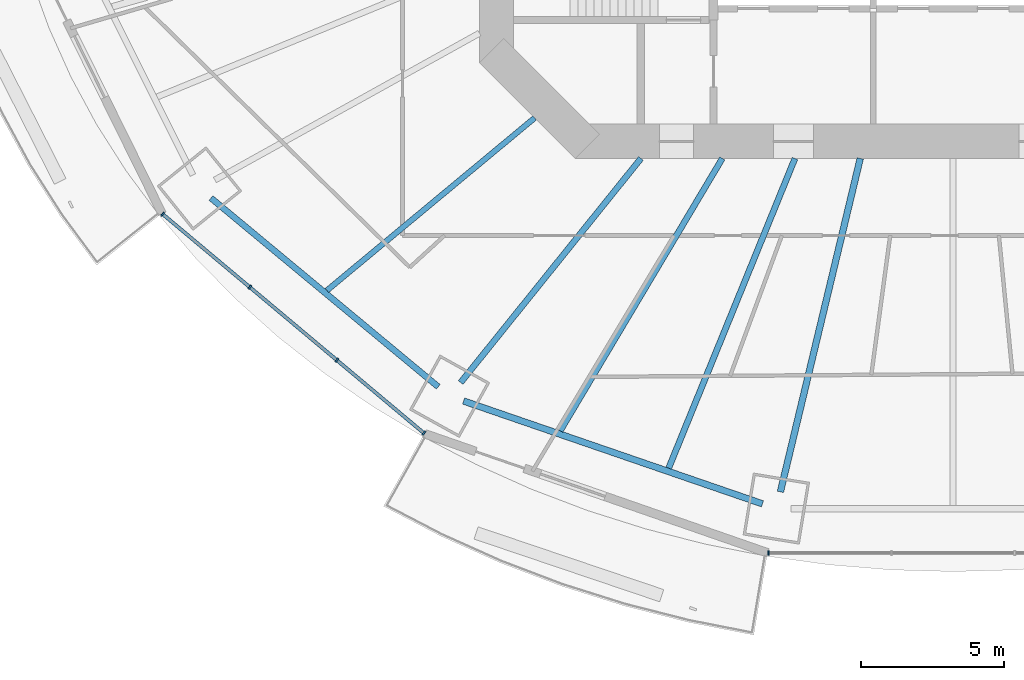
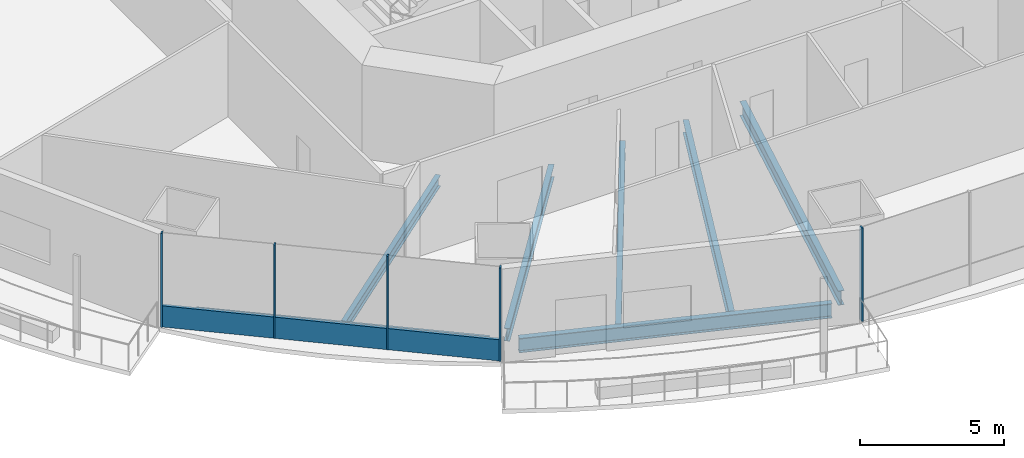
# One storey, part 2 of 20: 7 beams, 6 members, 2 elements without a shape of their own.
"""IFC4 building model written with IfcOpenShell, lengths in metres."""

from ifc_helpers import new_model, si_unit, direction, frame, origin, origin_2d, place, context, subcontext, project, spatial, rectangle, i_section, extrude, material, material_profile, profile_set, type_object, element, aggregate, save


model = new_model("IFC4")

# Units and contexts
model_context = context("Model", 3, precision=1e-05, world=origin(), true_north=direction((0.0, 1.0)))
body_context = subcontext(model_context, "Body", "Model", "MODEL_VIEW")
ifc_project = project(units=[si_unit("LENGTHUNIT", "METRE"), si_unit("AREAUNIT", "SQUARE_METRE"), si_unit("VOLUMEUNIT", "CUBIC_METRE"), si_unit("PLANEANGLEUNIT", "RADIAN"), si_unit("MASSUNIT", "GRAM", prefix="KILO")], contexts=[model_context])

# Site, building, storey
site_placement = place(None, origin())
site = spatial("IfcSite", under=ifc_project, at=site_placement, CompositionType="ELEMENT")
building_placement = place(site_placement, origin())
building = spatial("IfcBuilding", under=site, at=building_placement, Name="Marenthal Gate Tower", CompositionType="ELEMENT")
storey_placement = place(building_placement, frame((0.0, 0.0, 132.60009765625)))
storey = spatial("IfcBuildingStorey", under=building, at=storey_placement, Name="L28", CompositionType="ELEMENT", Elevation=132.60009765625)

# Curtain wall, members
ifc_material_1 = material(Name="Aluminium and glass", Category="aluminium")
curtain_wall_type = type_object("IfcCurtainWallType", Name="Curtain wall typical low", PredefinedType="NOTDEFINED", material=ifc_material_1)
curtain_wall_1_placement = place(storey_placement, origin())
curtain_wall_1 = element("IfcCurtainWall", 1, at=curtain_wall_1_placement, inside=storey, type_object=curtain_wall_type, Name="Curtain wall L28 bay 10", PredefinedType="NOTDEFINED")
ifc_material_2 = material(Name="Aluminium", Category="aluminium")
ifc_material_profile_1 = material_profile(ifc_material_2, rectangle(XDim=0.159912109375, YDim=0.06005859375, at=origin_2d()), Name="60x160 aluminium mullion")
ifc_profile_set_1 = profile_set([ifc_material_profile_1], Name="Aluminium")
member_type_1 = type_object("IfcMemberType", Name="Mullion 60x160 typical low", PredefinedType="MULLION", material=ifc_profile_set_1)
member_1_placement = place(storey_placement, frame((-27.699951171875, -15.55126953125, 0.0), z_axis=(0.0, 0.0, 1.0), x_axis=(0.642510826857, 0.766276606305, 0.0)))
member_1 = element("IfcMember", 2, at=member_1_placement, type_object=member_type_1, Name="Mullion L28 bay 10.1", PredefinedType="MULLION", context=body_context, shape_type="SweptSolid", body=[
    extrude(rectangle(XDim=0.159912109375, YDim=0.06005859375, at=origin_2d()), origin(), (0.0, 0.0, 1.0), 3.969970703125),
])
member_2_placement = place(storey_placement, frame((-24.64892578125, -18.109619140625, 0.0), z_axis=(0.0, 0.0, 1.0), x_axis=(0.642510826857, 0.766276606305, 0.0)))
member_2 = element("IfcMember", 3, at=member_2_placement, type_object=member_type_1, Name="Mullion L28 bay 10.2", PredefinedType="MULLION", context=body_context, shape_type="SweptSolid", body=[
    extrude(rectangle(XDim=0.159912109375, YDim=0.06005859375, at=origin_2d()), origin(), (0.0, 0.0, 1.0), 3.969970703125),
])
member_3_placement = place(storey_placement, frame((-21.597900390625, -20.66796875, 0.0), z_axis=(0.0, 0.0, 1.0), x_axis=(0.642510826857, 0.766276606305, 0.0)))
member_3 = element("IfcMember", 4, at=member_3_placement, type_object=member_type_1, Name="Mullion L28 bay 10.3", PredefinedType="MULLION", context=body_context, shape_type="SweptSolid", body=[
    extrude(rectangle(XDim=0.159912109375, YDim=0.06005859375, at=origin_2d()), origin(), (0.0, 0.0, 1.0), 3.969970703125),
])
member_4_placement = place(storey_placement, frame((-18.546875, -23.22607421875, 0.0), z_axis=(0.0, 0.0, 1.0), x_axis=(0.642510826857, 0.766276606305, 0.0)))
member_4 = element("IfcMember", 5, at=member_4_placement, type_object=member_type_1, Name="Mullion L28 bay 10.4", PredefinedType="MULLION", context=body_context, shape_type="SweptSolid", body=[
    extrude(rectangle(XDim=0.159912109375, YDim=0.06005859375, at=origin_2d()), origin(), (0.0, 0.0, 1.0), 3.969970703125),
])

# Curtain wall, member
curtain_wall_2_placement = place(storey_placement, origin())
curtain_wall_2 = element("IfcCurtainWall", 6, at=curtain_wall_2_placement, inside=storey, type_object=curtain_wall_type, Name="Curtain wall L28 bay 12", PredefinedType="NOTDEFINED")
member_5_placement = place(storey_placement, frame((-6.474609375, -27.419921875, 0.0), z_axis=(0.0, 0.0, 1.0), x_axis=(0.0, 1.0, 0.0)))
member_5 = element("IfcMember", 7, at=member_5_placement, type_object=member_type_1, Name="Mullion L28 bay 12.1", PredefinedType="MULLION", context=body_context, shape_type="SweptSolid", body=[
    extrude(rectangle(XDim=0.159912109375, YDim=0.06005859375, at=origin_2d()), origin(), (0.0, 0.0, 1.0), 3.969970703125),
])
aggregate(curtain_wall_2, [member_5])

# Member
ifc_material_3 = material(Name="Aluminium", Category="aluminium")
ifc_material_profile_2 = material_profile(ifc_material_3, rectangle(XDim=0.1201171875, YDim=0.89990234375, at=origin_2d()), Name="120x900 aluminium transom")
ifc_profile_set_2 = profile_set([ifc_material_profile_2], Name="Aluminium")
member_type_2 = type_object("IfcMemberType", Name="Transom 120x900 typical low", PredefinedType="USERDEFINED", material=ifc_profile_set_2)
member_6_placement = place(storey_placement, frame((-27.677001953125, -15.570556640625, 0.449951171875), z_axis=(0.76627636454, -0.642511115194, 0.0), x_axis=(0.642511115194, 0.76627636454, 0.0)))
member_6 = element("IfcMember", 8, at=member_6_placement, type_object=member_type_2, Name="Transom L28 bay 10", ObjectType="TRANSOM", PredefinedType="USERDEFINED", context=body_context, shape_type="SweptSolid", body=[
    extrude(rectangle(XDim=0.1201171875, YDim=0.89990234375, at=origin_2d()), origin(), (0.0, 0.0, 1.0), 11.885009765625),
])

aggregate(curtain_wall_1, [member_1, member_2, member_3, member_4, member_6])

# Beams
ifc_material_4 = material(Name="Steel S355", Category="steel")
ifc_material_profile_3 = material_profile(ifc_material_4, i_section(OverallWidth=0.193115234375, OverallDepth=0.467041015625, WebThickness=0.011474609375, FlangeThickness=0.01904296875, FilletRadius=0.010009765625, at=origin_2d()), Name="W460X97")
ifc_profile_set_3 = profile_set([ifc_material_profile_3], Name="Steel S355")
beam_type_1 = type_object("IfcBeamType", Name="W460X97 beam", PredefinedType="BEAM", material=ifc_profile_set_3)
beam_1_placement = place(storey_placement, frame((-21.944580078125, -18.22412109375, -0.41357421875), z_axis=(0.769313903272, 0.638870971506, 0.0), x_axis=(-0.638870971506, 0.769313903272, 0.0)))
element("IfcBeam", 9, at=beam_1_placement, inside=storey, type_object=beam_type_1, Name="BM-L28-31", PredefinedType="BEAM", context=body_context, shape_type="SweptSolid", body=[
    extrude(i_section(OverallWidth=0.193115234375, OverallDepth=0.467041015625, WebThickness=0.011474609375, FlangeThickness=0.01904296875, FilletRadius=0.010009765625, at=origin_2d()), origin(), (0.0, 0.0, 1.0), 9.459228515625),
])
ifc_material_5 = material(Name="Steel S355", Category="steel")
ifc_material_profile_4 = material_profile(ifc_material_5, i_section(OverallWidth=0.2099609375, OverallDepth=0.535888671875, WebThickness=0.010986328125, FlangeThickness=0.017333984375, FilletRadius=0.0126953125, at=origin_2d()), Name="W530X101")
ifc_profile_set_4 = profile_set([ifc_material_profile_4], Name="Steel S355")
beam_type_2 = type_object("IfcBeamType", Name="W530X101 beam", PredefinedType="BEAM", material=ifc_profile_set_4)
beam_2_placement = place(storey_placement, frame((-13.769775390625, -23.14404296875, -0.447998046875), z_axis=(0.511320752803, 0.859389950926, 0.0), x_axis=(-0.859389950926, 0.511320752803, 0.0)))
element("IfcBeam", 10, at=beam_2_placement, inside=storey, type_object=beam_type_2, Name="BM-L28-32", PredefinedType="BEAM", context=body_context, shape_type="SweptSolid", body=[
    extrude(i_section(OverallWidth=0.2099609375, OverallDepth=0.535888671875, WebThickness=0.010986328125, FlangeThickness=0.017333984375, FilletRadius=0.0126953125, at=origin_2d()), origin(), (0.0, 0.0, 1.0), 11.10546875),
])
ifc_material_6 = material(Name="Steel S355", Category="steel")
ifc_material_profile_5 = material_profile(ifc_material_6, i_section(OverallWidth=0.2119140625, OverallDepth=0.5439453125, WebThickness=0.01318359375, FlangeThickness=0.021240234375, FilletRadius=0.0126953125, at=origin_2d()), Name="W530X123")
ifc_profile_set_5 = profile_set([ifc_material_profile_5], Name="Steel S355")
beam_type_3 = type_object("IfcBeamType", Name="W530X123 beam", PredefinedType="BEAM", material=ifc_profile_set_5)
beam_3_placement = place(storey_placement, frame((-17.259521484375, -21.45166015625, -0.4521484375), z_axis=(0.6268641657, 0.77912856305, 0.0), x_axis=(-0.77912856305, 0.6268641657, 0.0)))
element("IfcBeam", 11, at=beam_3_placement, inside=storey, type_object=beam_type_3, Name="BM-L28-11", PredefinedType="BEAM", context=body_context, shape_type="SweptSolid", body=[
    extrude(i_section(OverallWidth=0.2119140625, OverallDepth=0.5439453125, WebThickness=0.01318359375, FlangeThickness=0.021240234375, FilletRadius=0.0126953125, at=origin_2d()), origin(), (0.0, 0.0, 1.0), 10.077392578125),
])
beam_4_placement = place(storey_placement, frame((-9.9697265625, -24.451171875, -0.4521484375), z_axis=(0.377553645664, 0.92598771301, 0.0), x_axis=(-0.92598771301, 0.377553645664, 0.0)))
element("IfcBeam", 12, at=beam_4_placement, inside=storey, type_object=beam_type_3, Name="BM-L28-33", PredefinedType="BEAM", context=body_context, shape_type="SweptSolid", body=[
    extrude(i_section(OverallWidth=0.2119140625, OverallDepth=0.5439453125, WebThickness=0.01318359375, FlangeThickness=0.021240234375, FilletRadius=0.0126953125, at=origin_2d()), origin(), (0.0, 0.0, 1.0), 11.71826171875),
])
beam_5_placement = place(storey_placement, frame((-26.0087890625, -14.98681640625, -0.4521484375), z_axis=(0.769308410826, -0.638877585326, 0.0), x_axis=(0.638877585326, 0.769308410826, 0.0)))
element("IfcBeam", 13, at=beam_5_placement, inside=storey, type_object=beam_type_3, Name="BM-L28-50", PredefinedType="BEAM", context=body_context, shape_type="SweptSolid", body=[
    extrude(i_section(OverallWidth=0.2119140625, OverallDepth=0.5439453125, WebThickness=0.01318359375, FlangeThickness=0.021240234375, FilletRadius=0.0126953125, at=origin_2d()), origin(), (0.0, 0.0, 1.0), 10.35302734375),
])
ifc_material_7 = material(Name="Steel S355", Category="steel")
ifc_material_profile_6 = material_profile(ifc_material_7, i_section(OverallWidth=0.22900390625, OverallDepth=0.612060546875, WebThickness=0.011962890625, FlangeThickness=0.01953125, FilletRadius=0.0126953125, at=origin_2d()), Name="W610X125")
ifc_profile_set_6 = profile_set([ifc_material_profile_6], Name="Steel S355")
beam_type_4 = type_object("IfcBeamType", Name="W610X125 beam", PredefinedType="BEAM", material=ifc_profile_set_6)
beam_6_placement = place(storey_placement, frame((-6.05615234375, -25.283935546875, -0.486083984375), z_axis=(0.232937154271, 0.972491790279, 0.0), x_axis=(-0.972491790279, 0.232937154271, 0.0)))
element("IfcBeam", 14, at=beam_6_placement, inside=storey, type_object=beam_type_4, Name="BM-L28-12", PredefinedType="BEAM", context=body_context, shape_type="SweptSolid", body=[
    extrude(i_section(OverallWidth=0.22900390625, OverallDepth=0.612060546875, WebThickness=0.011962890625, FlangeThickness=0.01953125, FilletRadius=0.0126953125, at=origin_2d()), origin(), (0.0, 0.0, 1.0), 12.014404296875),
])
beam_7_placement = place(storey_placement, frame((-17.158447265625, -22.099365234375, -0.486083984375), z_axis=(0.945616285836, -0.325284244871, 0.0), x_axis=(0.325284244871, 0.945616285836, 0.0)))
element("IfcBeam", 15, at=beam_7_placement, inside=storey, type_object=beam_type_4, Name="BM-L28-51", PredefinedType="BEAM", context=body_context, shape_type="SweptSolid", body=[
    extrude(i_section(OverallWidth=0.22900390625, OverallDepth=0.612060546875, WebThickness=0.011962890625, FlangeThickness=0.01953125, FilletRadius=0.0126953125, at=origin_2d()), origin(), (0.0, 0.0, 1.0), 11.078125),
])

save(model, "model.ifc")
